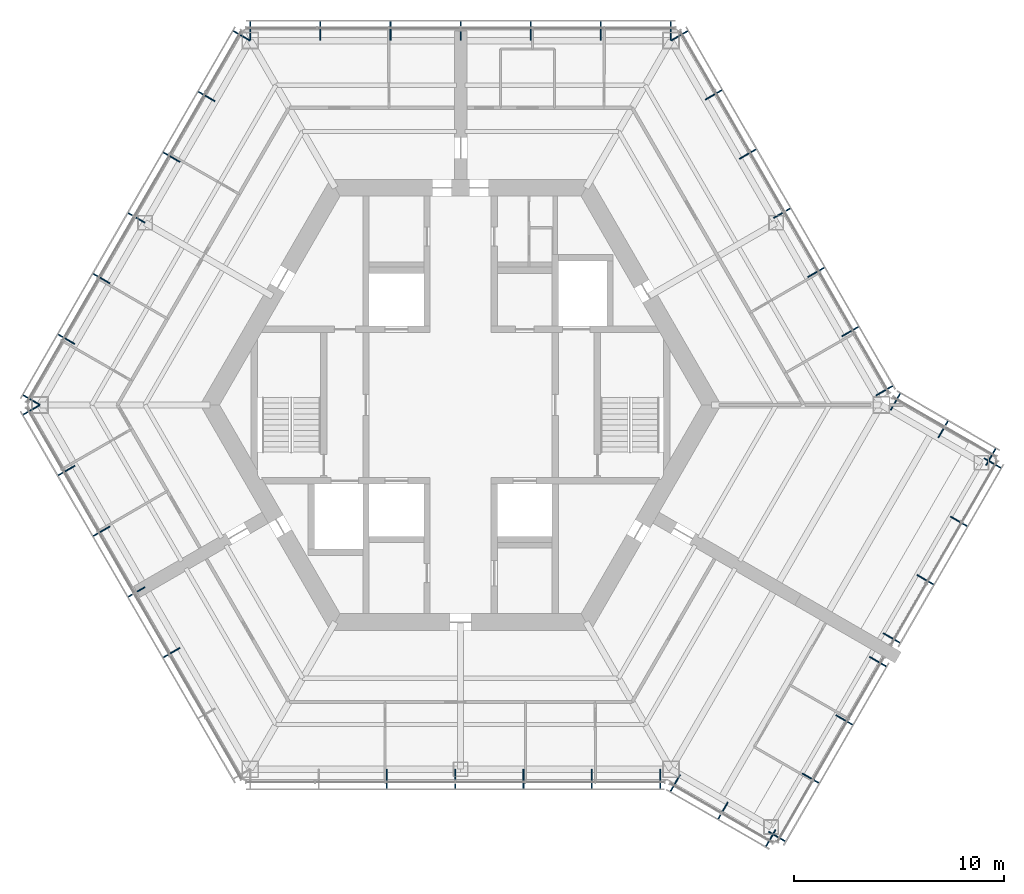
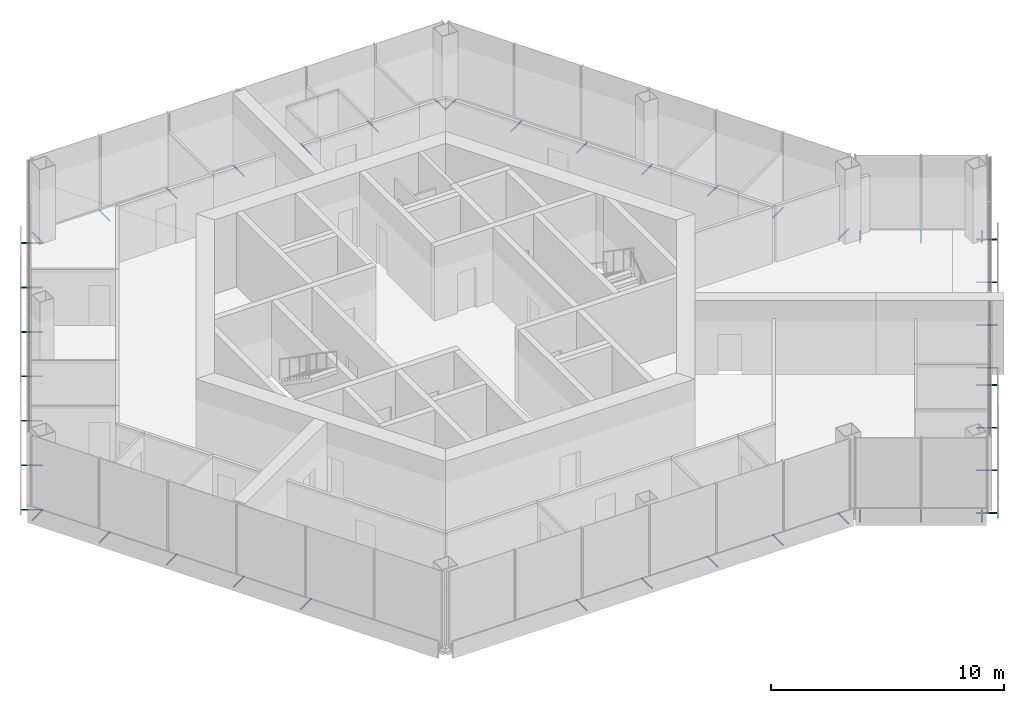
# One storey, part 11 of 13: 45 discrete accessories.
"""IFC4 building model written with IfcOpenShell, lengths in metres."""

from ifc_helpers import new_model, si_unit, direction, frame, origin, origin_2d, place, context, subcontext, project, spatial, hollow_circle, extrude, material, material_profile, profile_set, type_object, element, save


model = new_model("IFC4")

# Units and contexts
model_context = context("Model", 3, precision=1e-05, world=origin(), true_north=direction((0.0, 1.0)))
body_context = subcontext(model_context, "Body", "Model", "MODEL_VIEW")
ifc_project = project(units=[si_unit("LENGTHUNIT", "METRE"), si_unit("AREAUNIT", "SQUARE_METRE"), si_unit("VOLUMEUNIT", "CUBIC_METRE"), si_unit("PLANEANGLEUNIT", "RADIAN"), si_unit("MASSUNIT", "GRAM", prefix="KILO")], contexts=[model_context])

# Site, building, storey
site_placement = place(None, origin())
site = spatial("IfcSite", under=ifc_project, at=site_placement, CompositionType="ELEMENT")
building_placement = place(site_placement, origin())
building = spatial("IfcBuilding", under=site, at=building_placement, Name="Kasaneha Research Tower", CompositionType="ELEMENT")
storey_placement = place(building_placement, frame((0.0, 0.0, 290.800048828125)))
storey = spatial("IfcBuildingStorey", under=building, at=storey_placement, Name="L73", CompositionType="ELEMENT", Elevation=290.800048828125)

# Discrete accessories
ifc_material = material(Name="Steel STK400", Category="steel")
ifc_material_profile = material_profile(ifc_material, hollow_circle(Radius=0.0380859375, WallThickness=0.00390625, at=origin_2d()), Name="CHS-76.3x4.0")
ifc_profile_set = profile_set([ifc_material_profile], Name="Steel STK400")
discrete_accessory_type = type_object("IfcDiscreteAccessoryType", Name="Screen bracket CHS-76.3x4.0", PredefinedType="BRACKET", material=ifc_profile_set)
for number, where, z_axis, x_axis, name in (
    (1, (19.74462890625, 0.4423828125, -0.300048828125), (0.866013213425, 0.500021113727, 0.0), (-0.500021113727, 0.866013213425, 0.0), "Screen bracket 1"),
    (2, (18.120849609375, 3.2548828125, -0.300048828125), (0.866013213425, 0.500021113727, 0.0), (-0.500021113727, 0.866013213425, 0.0), "Screen bracket 2"),
    (3, (16.4970703125, 6.0673828125, -0.300048828125), (0.866013213425, 0.500021113727, 0.0), (-0.500021113727, 0.866013213425, 0.0), "Screen bracket 3"),
    (4, (14.873291015625, 8.8798828125, -0.300048828125), (0.866013213425, 0.500021113727, 0.0), (-0.500021113727, 0.866013213425, 0.0), "Screen bracket 4"),
    (5, (13.24951171875, 11.6923828125, -0.300048828125), (0.866013213425, 0.500021113727, 0.0), (-0.500021113727, 0.866013213425, 0.0), "Screen bracket 5"),
):
    element("IfcDiscreteAccessory", number, at=place(storey_placement, frame(where, z_axis=z_axis, x_axis=x_axis)), inside=storey, type_object=discrete_accessory_type, Name=name, PredefinedType="BRACKET", context=body_context, shape_type="SweptSolid", body=[
        extrude(hollow_circle(Radius=0.0380859375, WallThickness=0.00390625, at=origin_2d()), origin(), (0.0, 0.0, 1.0), 0.919921875),
    ])
for number, where, z_axis, x_axis, name in (
    (6, (11.62548828125, 14.5048828125, -0.300048828125), (0.866079547155, 0.499906209203, 0.0), (-0.499906209203, 0.866079547155, 0.0), "Screen bracket 6"),
    (7, (10.001708984375, 17.3173828125, -0.300048828125), (0.866079547155, 0.499906209203, 0.0), (-0.499906209203, 0.866079547155, 0.0), "Screen bracket 7"),
):
    element("IfcDiscreteAccessory", number, at=place(storey_placement, frame(where, z_axis=z_axis, x_axis=x_axis)), inside=storey, type_object=discrete_accessory_type, Name=name, PredefinedType="BRACKET", context=body_context, shape_type="SweptSolid", body=[
        extrude(hollow_circle(Radius=0.0380859375, WallThickness=0.00390625, at=origin_2d()), origin(), (0.0, 0.0, 1.0), 0.920166015625),
    ])
for number, where, z_axis, x_axis, name in (
    (8, (9.996337890625, 17.320556640625, -0.300048828125), (0.0, 1.0, 0.0), (-1.0, 0.0, 0.0), "Screen bracket 1"),
    (9, (6.664306640625, 17.320556640625, -0.300048828125), (0.0, 1.0, 0.0), (-1.0, 0.0, 0.0), "Screen bracket 2"),
    (10, (3.33203125, 17.320556640625, -0.300048828125), (0.0, 1.0, 0.0), (-1.0, 0.0, 0.0), "Screen bracket 3"),
    (11, (0.0, 17.320556640625, -0.300048828125), (0.0, 1.0, 0.0), (-1.0, 0.0, 0.0), "Screen bracket 4"),
    (12, (-3.33203125, 17.320556640625, -0.300048828125), (0.0, 1.0, 0.0), (-1.0, 0.0, 0.0), "Screen bracket 5"),
    (13, (-6.664306640625, 17.320556640625, -0.300048828125), (0.0, 1.0, 0.0), (-1.0, 0.0, 0.0), "Screen bracket 6"),
    (14, (-9.996337890625, 17.320556640625, -0.300048828125), (0.0, 1.0, 0.0), (-1.0, 0.0, 0.0), "Screen bracket 7"),
):
    element("IfcDiscreteAccessory", number, at=place(storey_placement, frame(where, z_axis=z_axis, x_axis=x_axis)), inside=storey, type_object=discrete_accessory_type, Name=name, PredefinedType="BRACKET", context=body_context, shape_type="SweptSolid", body=[
        extrude(hollow_circle(Radius=0.0380859375, WallThickness=0.00390625, at=origin_2d()), origin(), (0.0, 0.0, 1.0), 0.919921875),
    ])
discrete_accessory_1_placement = place(storey_placement, frame((-10.001708984375, 17.3173828125, -0.300048828125), z_axis=(-0.866079547155, 0.499906209203, 0.0), x_axis=(-0.499906209203, -0.866079547155, 0.0)))
element("IfcDiscreteAccessory", 15, at=discrete_accessory_1_placement, inside=storey, type_object=discrete_accessory_type, Name="Screen bracket 1", PredefinedType="BRACKET", context=body_context, shape_type="SweptSolid", body=[
    extrude(hollow_circle(Radius=0.0380859375, WallThickness=0.00390625, at=origin_2d()), origin(), (0.0, 0.0, 1.0), 0.920166015625),
])
for number, where, z_axis, x_axis, name in (
    (16, (-11.66796875, 14.431640625, -0.300048828125), (-0.866013213425, 0.500021113727, 0.0), (-0.500021113727, -0.866013213425, 0.0), "Screen bracket 2"),
    (17, (-13.333984375, 11.5458984375, -0.300048828125), (-0.866013213425, 0.500021113727, 0.0), (-0.500021113727, -0.866013213425, 0.0), "Screen bracket 3"),
    (18, (-15.0, 8.66015625, -0.300048828125), (-0.865898279276, 0.500220121494, 0.0), (-0.500220121494, -0.865898279276, 0.0), "Screen bracket 4"),
):
    element("IfcDiscreteAccessory", number, at=place(storey_placement, frame(where, z_axis=z_axis, x_axis=x_axis)), inside=storey, type_object=discrete_accessory_type, Name=name, PredefinedType="BRACKET", context=body_context, shape_type="SweptSolid", body=[
        extrude(hollow_circle(Radius=0.0380859375, WallThickness=0.00390625, at=origin_2d()), origin(), (0.0, 0.0, 1.0), 0.919921875),
    ])
for number, where, z_axis, x_axis, name in (
    (19, (-16.666015625, 5.774658203125, -0.300048828125), (-0.866079547155, 0.499906209203, 0.0), (-0.499906209203, -0.866079547155, 0.0), "Screen bracket 5"),
    (20, (-18.33203125, 2.888916015625, -0.300048828125), (-0.866079547155, 0.499906209203, 0.0), (-0.499906209203, -0.866079547155, 0.0), "Screen bracket 6"),
):
    element("IfcDiscreteAccessory", number, at=place(storey_placement, frame(where, z_axis=z_axis, x_axis=x_axis)), inside=storey, type_object=discrete_accessory_type, Name=name, PredefinedType="BRACKET", context=body_context, shape_type="SweptSolid", body=[
        extrude(hollow_circle(Radius=0.0380859375, WallThickness=0.00390625, at=origin_2d()), origin(), (0.0, 0.0, 1.0), 0.920166015625),
    ])
for number, where, z_axis, x_axis, name in (
    (21, (-19.998291015625, 0.003173828125, -0.300048828125), (-0.866013213425, 0.500021113727, 0.0), (-0.500021113727, -0.866013213425, 0.0), "Screen bracket 7"),
    (22, (-19.998291015625, -0.003173828125, -0.300048828125), (-0.866013213425, -0.500021113727, 0.0), (0.500021113727, -0.866013213425, 0.0), "Screen bracket 1"),
):
    element("IfcDiscreteAccessory", number, at=place(storey_placement, frame(where, z_axis=z_axis, x_axis=x_axis)), inside=storey, type_object=discrete_accessory_type, Name=name, PredefinedType="BRACKET", context=body_context, shape_type="SweptSolid", body=[
        extrude(hollow_circle(Radius=0.0380859375, WallThickness=0.00390625, at=origin_2d()), origin(), (0.0, 0.0, 1.0), 0.919921875),
    ])
for number, where, z_axis, x_axis, name in (
    (23, (-18.33203125, -2.888916015625, -0.300048828125), (-0.866079547155, -0.499906209203, 0.0), (0.499906209203, -0.866079547155, 0.0), "Screen bracket 2"),
    (24, (-16.666015625, -5.774658203125, -0.300048828125), (-0.866079547155, -0.499906209203, 0.0), (0.499906209203, -0.866079547155, 0.0), "Screen bracket 3"),
):
    element("IfcDiscreteAccessory", number, at=place(storey_placement, frame(where, z_axis=z_axis, x_axis=x_axis)), inside=storey, type_object=discrete_accessory_type, Name=name, PredefinedType="BRACKET", context=body_context, shape_type="SweptSolid", body=[
        extrude(hollow_circle(Radius=0.0380859375, WallThickness=0.00390625, at=origin_2d()), origin(), (0.0, 0.0, 1.0), 0.920166015625),
    ])
for number, where, z_axis, x_axis, name in (
    (25, (-15.0, -8.66015625, -0.300048828125), (-0.865898279276, -0.500220121494, 0.0), (0.500220121494, -0.865898279276, 0.0), "Screen bracket 4"),
    (26, (-13.333984375, -11.5458984375, -0.300048828125), (-0.866013213425, -0.500021113727, 0.0), (0.500021113727, -0.866013213425, 0.0), "Screen bracket 5"),
    (27, (-3.501220703125, -17.320556640625, -0.300048828125), (0.0, -1.0, 0.0), (1.0, 0.0, 0.0), "Screen bracket 3"),
    (28, (-0.253662109375, -17.320556640625, -0.300048828125), (0.0, -1.0, 0.0), (1.0, 0.0, 0.0), "Screen bracket 4"),
    (29, (2.993896484375, -17.320556640625, -0.300048828125), (0.0, -1.0, 0.0), (1.0, 0.0, 0.0), "Screen bracket 5"),
    (30, (6.24169921875, -17.320556640625, -0.300048828125), (0.0, -1.0, 0.0), (1.0, 0.0, 0.0), "Screen bracket 6"),
    (31, (9.4892578125, -17.320556640625, -0.300048828125), (0.0, -1.0, 0.0), (1.0, 0.0, 0.0), "Screen bracket 7"),
    (32, (10.4423828125, -17.575927734375, -0.300048828125), (-0.500021113727, -0.866013213425, 0.0), (0.866013213425, -0.500021113727, 0.0), "Screen bracket 1"),
    (33, (12.7109375, -18.8857421875, -0.300048828125), (-0.500021113727, -0.866013213425, 0.0), (0.866013213425, -0.500021113727, 0.0), "Screen bracket 2"),
    (34, (14.979736328125, -20.195556640625, -0.300048828125), (-0.500220121494, -0.865898279276, 0.0), (0.865898279276, -0.500220121494, 0.0), "Screen bracket 3"),
    (35, (14.63818359375, -20.287109375, -0.300048828125), (0.866013213425, -0.500021113727, 0.0), (0.500021113727, 0.866013213425, 0.0), "Screen bracket 1"),
):
    element("IfcDiscreteAccessory", number, at=place(storey_placement, frame(where, z_axis=z_axis, x_axis=x_axis)), inside=storey, type_object=discrete_accessory_type, Name=name, PredefinedType="BRACKET", context=body_context, shape_type="SweptSolid", body=[
        extrude(hollow_circle(Radius=0.0380859375, WallThickness=0.00390625, at=origin_2d()), origin(), (0.0, 0.0, 1.0), 0.919921875),
    ])
discrete_accessory_2_placement = place(storey_placement, frame((16.238037109375, -17.515625, -0.300048828125), z_axis=(0.865964657013, -0.500105201737, 0.0), x_axis=(0.500105201737, 0.865964657013, 0.0)))
element("IfcDiscreteAccessory", 36, at=discrete_accessory_2_placement, inside=storey, type_object=discrete_accessory_type, Name="Screen bracket 2", PredefinedType="BRACKET", context=body_context, shape_type="SweptSolid", body=[
    extrude(hollow_circle(Radius=0.0380859375, WallThickness=0.00390625, at=origin_2d()), origin(), (0.0, 0.0, 1.0), 0.920166015625),
])
for number, where, z_axis, x_axis, name in (
    (37, (17.838134765625, -14.744384765625, -0.300048828125), (0.866013213425, -0.500021113727, 0.0), (0.500021113727, 0.866013213425, 0.0), "Screen bracket 3"),
    (38, (19.438232421875, -11.97314453125, -0.300048828125), (0.866013213425, -0.500021113727, 0.0), (0.500021113727, 0.866013213425, 0.0), "Screen bracket 4"),
    (39, (20.088134765625, -10.847412109375, -0.300048828125), (0.866013213425, -0.500021113727, 0.0), (0.500021113727, 0.866013213425, 0.0), "Screen bracket 1"),
    (40, (21.688232421875, -8.076171875, -0.300048828125), (0.866013213425, -0.500021113727, 0.0), (0.500021113727, 0.866013213425, 0.0), "Screen bracket 2"),
):
    element("IfcDiscreteAccessory", number, at=place(storey_placement, frame(where, z_axis=z_axis, x_axis=x_axis)), inside=storey, type_object=discrete_accessory_type, Name=name, PredefinedType="BRACKET", context=body_context, shape_type="SweptSolid", body=[
        extrude(hollow_circle(Radius=0.0380859375, WallThickness=0.00390625, at=origin_2d()), origin(), (0.0, 0.0, 1.0), 0.919921875),
    ])
discrete_accessory_3_placement = place(storey_placement, frame((23.2880859375, -5.3046875, -0.300048828125), z_axis=(0.865964657013, -0.500105201737, 0.0), x_axis=(0.500105201737, 0.865964657013, 0.0)))
element("IfcDiscreteAccessory", 41, at=discrete_accessory_3_placement, inside=storey, type_object=discrete_accessory_type, Name="Screen bracket 3", PredefinedType="BRACKET", context=body_context, shape_type="SweptSolid", body=[
    extrude(hollow_circle(Radius=0.0380859375, WallThickness=0.00390625, at=origin_2d()), origin(), (0.0, 0.0, 1.0), 0.920166015625),
])
for number, where, z_axis, x_axis, name in (
    (42, (24.88818359375, -2.533447265625, -0.300048828125), (0.866013213425, -0.500021113727, 0.0), (0.500021113727, 0.866013213425, 0.0), "Screen bracket 4"),
    (43, (24.979736328125, -2.875, -0.300048828125), (0.500021113727, 0.866013213425, 0.0), (-0.866013213425, 0.500021113727, 0.0), "Screen bracket 1"),
    (44, (22.7109375, -1.565185546875, -0.300048828125), (0.500021113727, 0.866013213425, 0.0), (-0.866013213425, 0.500021113727, 0.0), "Screen bracket 2"),
    (45, (20.4423828125, -0.25537109375, -0.300048828125), (0.500021113727, 0.866013213425, 0.0), (-0.866013213425, 0.500021113727, 0.0), "Screen bracket 3"),
):
    element("IfcDiscreteAccessory", number, at=place(storey_placement, frame(where, z_axis=z_axis, x_axis=x_axis)), inside=storey, type_object=discrete_accessory_type, Name=name, PredefinedType="BRACKET", context=body_context, shape_type="SweptSolid", body=[
        extrude(hollow_circle(Radius=0.0380859375, WallThickness=0.00390625, at=origin_2d()), origin(), (0.0, 0.0, 1.0), 0.919921875),
    ])

save(model, "model.ifc")
